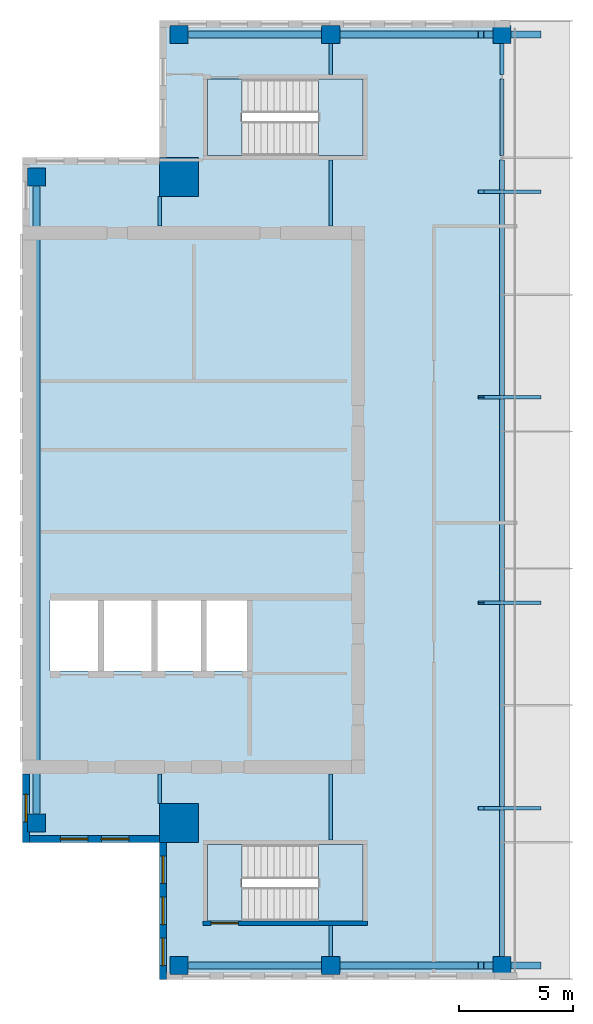
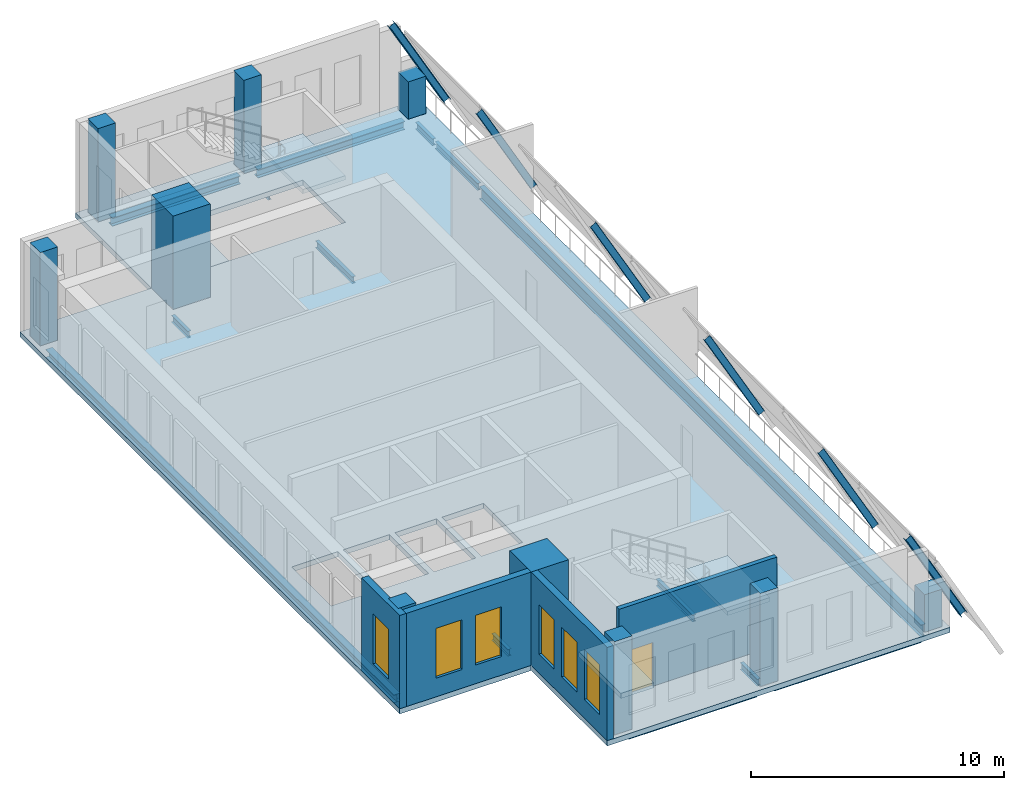
# One storey, part 1 of 5: 14 beams, 10 columns, 6 members, 6 windows, 5 slabs, 4 walls, 1 door, 7 openings, 2 elements without a shape of their own.
"""IFC4 building model written with IfcOpenShell, lengths in metres."""

from ifc_helpers import new_model, si_unit, direction, frame, frame_2d, origin, origin_2d, place, context, subcontext, project, spatial, polyline, rectangle, i_section, outline, extrude, source, transform, mapped, material, layer, layer_set, material_profile, profile_set, type_object, element, fill, aggregate, save


model = new_model("IFC4")

# Units and contexts
model_context = context("Model", 3, precision=1e-05, world=origin(), true_north=direction((0.0, 1.0)))
body_context = subcontext(model_context, "Body", "Model", "MODEL_VIEW")
ifc_project = project(units=[si_unit("LENGTHUNIT", "METRE"), si_unit("AREAUNIT", "SQUARE_METRE"), si_unit("VOLUMEUNIT", "CUBIC_METRE"), si_unit("PLANEANGLEUNIT", "RADIAN"), si_unit("MASSUNIT", "GRAM", prefix="KILO")], contexts=[model_context])

# Site, building, storey
site_placement = place(None, origin())
site = spatial("IfcSite", under=ifc_project, at=site_placement, CompositionType="ELEMENT")
building_placement = place(site_placement, origin())
building = spatial("IfcBuilding", under=site, at=building_placement, Name="Khomas Fold Tower", CompositionType="ELEMENT")
storey_placement = place(building_placement, frame((0.0, 0.0, 348.199951171875)))
storey = spatial("IfcBuildingStorey", under=building, at=storey_placement, Name="C5", CompositionType="ELEMENT", Elevation=348.199951171875)

# Columns
ifc_material_1 = material(Name="Concrete C60/75", Category="concrete")
ifc_material_profile_1 = material_profile(ifc_material_1, rectangle(XDim=1.699951171875, YDim=1.699951171875, at=origin_2d()), Name="RC 1700x1700")
ifc_profile_set_1 = profile_set([ifc_material_profile_1], Name="Concrete C60/75")
column_type_1 = type_object("IfcColumnType", Name="RC 1700x1700 column", PredefinedType="COLUMN", material=ifc_profile_set_1)
shared_shape_1 = source(origin(), body_context, "Body", "SweptSolid", [
    extrude(rectangle(XDim=1.699951171875, YDim=1.699951171875, at=origin_2d()), origin(), (0.0, 0.0, 1.0), 4.5),
])
for number, where, z_axis, x_axis, name in (
    (1, (12.85009765625, 41.14990234375, 0.0), (0.0, 0.0, 1.0), (1.0, 0.0, 0.0), "CM-NW"),
    (2, (12.85009765625, 12.85009765625, 0.0), (0.0, 0.0, 1.0), (1.0, 0.0, 0.0), "CM-SW"),
):
    element("IfcColumn", number, at=place(storey_placement, frame(where, z_axis=z_axis, x_axis=x_axis)), inside=storey, type_object=column_type_1, Name=name, PredefinedType="COLUMN", context=body_context, shape_type="MappedRepresentation", body=[
        mapped(shared_shape_1, transform((0.0, 0.0, 0.0))),
    ])
ifc_material_2 = material(Name="Concrete C50/60", Category="concrete")
ifc_material_profile_2 = material_profile(ifc_material_2, rectangle(XDim=0.800048828125, YDim=0.800048828125, at=origin_2d()), Name="RC 800x800")
ifc_profile_set_2 = profile_set([ifc_material_profile_2], Name="Concrete C50/60")
column_type_2 = type_object("IfcColumnType", Name="RC 800x800 column", PredefinedType="COLUMN", material=ifc_profile_set_2)
shared_shape_2 = source(origin(), body_context, "Body", "SweptSolid", [
    extrude(rectangle(XDim=0.800048828125, YDim=0.800048828125, at=origin_2d()), origin(), (0.0, 0.0, 1.0), 4.5),
])
for number, where, z_axis, x_axis, name in (
    (3, (12.85009765625, 6.60009765625, 0.0), (0.0, 0.0, 1.0), (1.0, 0.0, 0.0), "C-7-SF5"),
    (4, (19.5, 6.60009765625, 0.0), (0.0, 0.0, 1.0), (1.0, 0.0, 0.0), "C-8-SF5"),
    (5, (12.85009765625, 47.39990234375, 0.0), (0.0, 0.0, 1.0), (1.0, 0.0, 0.0), "C-7-NF5"),
    (6, (19.5, 47.39990234375, 0.0), (0.0, 0.0, 1.0), (1.0, 0.0, 0.0), "C-8-NF5"),
    (7, (6.60009765625, 12.85009765625, 0.0), (0.0, 0.0, 1.0), (1.0, 0.0, 0.0), "C-W5-G"),
    (8, (6.60009765625, 41.14990234375, 0.0), (0.0, 0.0, 1.0), (1.0, 0.0, 0.0), "C-W5-Q"),
):
    element("IfcColumn", number, at=place(storey_placement, frame(where, z_axis=z_axis, x_axis=x_axis)), inside=storey, type_object=column_type_2, Name=name, PredefinedType="COLUMN", context=body_context, shape_type="MappedRepresentation", body=[
        mapped(shared_shape_2, transform((0.0, 0.0, 0.0))),
    ])
shared_shape_3 = source(origin(), body_context, "Body", "SweptSolid", [
    extrude(rectangle(XDim=0.800048828125, YDim=0.800048828125, at=origin_2d()), origin(), (0.0, 0.0, 1.0), 1.8017578125),
])
for number, where, z_axis, x_axis, name in (
    (9, (27.0, 6.60009765625, 0.0), (0.0, 0.0, 1.0), (1.0, 0.0, 0.0), "C-9-SF5"),
    (10, (27.0, 47.39990234375, 0.0), (0.0, 0.0, 1.0), (1.0, 0.0, 0.0), "C-9-NF5"),
):
    element("IfcColumn", number, at=place(storey_placement, frame(where, z_axis=z_axis, x_axis=x_axis)), inside=storey, type_object=column_type_2, Name=name, PredefinedType="COLUMN", context=body_context, shape_type="MappedRepresentation", body=[
        mapped(shared_shape_3, transform((0.0, 0.0, 0.0))),
    ])

# Beams
ifc_material_3 = material(Name="Steel S355", Category="steel")
ifc_material_profile_3 = material_profile(ifc_material_3, i_section(OverallWidth=0.159912109375, OverallDepth=0.330078125, WebThickness=0.007568359375, FlangeThickness=0.011474609375, at=origin_2d()), Name="IPE 330")
ifc_profile_set_3 = profile_set([ifc_material_profile_3], Name="Steel S355")
beam_type_1 = type_object("IfcBeamType", Name="IPE 330 beam JB1", PredefinedType="BEAM", material=ifc_profile_set_3)
shared_shape_4 = source(origin(), body_context, "Body", "SweptSolid", [
    extrude(i_section(OverallWidth=0.159912109375, OverallDepth=0.330078125, WebThickness=0.007568359375, FlangeThickness=0.011474609375, at=origin_2d()), origin(), (0.0, 0.0, 1.0), 2.89990234375),
])
for number, where, z_axis, x_axis, name in (
    (11, (19.5, 12.10009765625, -0.4150390625), (0.0, 1.0, 0.0), (-1.0, 0.0, 0.0), "JB1"),
    (12, (19.5, 39.0, -0.4150390625), (0.0, 1.0, 0.0), (-1.0, 0.0, 0.0), "JB1"),
):
    element("IfcBeam", number, at=place(storey_placement, frame(where, z_axis=z_axis, x_axis=x_axis)), inside=storey, type_object=beam_type_1, Name=name, PredefinedType="BEAM", context=body_context, shape_type="MappedRepresentation", body=[
        mapped(shared_shape_4, transform((0.0, 0.0, 0.0))),
    ])
shared_shape_5 = source(origin(), body_context, "Body", "SweptSolid", [
    extrude(i_section(OverallWidth=0.159912109375, OverallDepth=0.330078125, WebThickness=0.007568359375, FlangeThickness=0.011474609375, at=origin_2d()), origin(), (0.0, 0.0, 1.0), 1.35009765625),
])
for number, where, z_axis, x_axis, name in (
    (13, (19.5, 7.0, -0.4150390625), (0.0, 1.0, 0.0), (-1.0, 0.0, 0.0), "JB1"),
    (14, (19.5, 45.64990234375, -0.4150390625), (0.0, 1.0, 0.0), (-1.0, 0.0, 0.0), "JB1"),
    (15, (27.0, 45.64990234375, -0.4150390625), (0.0, 1.0, 0.0), (-1.0, 0.0, 0.0), "JB1"),
):
    element("IfcBeam", number, at=place(storey_placement, frame(where, z_axis=z_axis, x_axis=x_axis)), inside=storey, type_object=beam_type_1, Name=name, PredefinedType="BEAM", context=body_context, shape_type="MappedRepresentation", body=[
        mapped(shared_shape_5, transform((0.0, 0.0, 0.0))),
    ])
ifc_material_4 = material(Name="Steel S355", Category="steel")
ifc_material_profile_4 = material_profile(ifc_material_4, i_section(OverallWidth=0.300048828125, OverallDepth=0.39990234375, WebThickness=0.013427734375, FlangeThickness=0.02392578125, at=origin_2d()), Name="HE 400 B")
ifc_profile_set_4 = profile_set([ifc_material_profile_4], Name="Steel S355")
beam_type_2 = type_object("IfcBeamType", Name="HE 400 B spandrel SB5", PredefinedType="SPANDREL", material=ifc_profile_set_4)
shared_shape_6 = source(origin(), body_context, "Body", "SweptSolid", [
    extrude(i_section(OverallWidth=0.300048828125, OverallDepth=0.39990234375, WebThickness=0.013427734375, FlangeThickness=0.02392578125, at=origin_2d()), origin(), (0.0, 0.0, 1.0), 5.85009765625),
])
for number, where, z_axis, x_axis, name in (
    (16, (13.25, 6.60009765625, -0.449951171875), (1.0, 0.0, 0.0), (0.0, 1.0, 0.0), "SB5"),
    (17, (13.25, 47.39990234375, -0.449951171875), (1.0, 0.0, 0.0), (0.0, 1.0, 0.0), "SB5"),
):
    element("IfcBeam", number, at=place(storey_placement, frame(where, z_axis=z_axis, x_axis=x_axis)), inside=storey, type_object=beam_type_2, Name=name, PredefinedType="SPANDREL", context=body_context, shape_type="MappedRepresentation", body=[
        mapped(shared_shape_6, transform((0.0, 0.0, 0.0))),
    ])
shared_shape_7 = source(origin(), body_context, "Body", "SweptSolid", [
    extrude(i_section(OverallWidth=0.300048828125, OverallDepth=0.39990234375, WebThickness=0.013427734375, FlangeThickness=0.02392578125, at=origin_2d()), origin(), (0.0, 0.0, 1.0), 6.7001953125),
])
for number, where, z_axis, x_axis, name in (
    (18, (19.89990234375, 6.60009765625, -0.449951171875), (1.0, 0.0, 0.0), (0.0, 1.0, 0.0), "SB5"),
    (19, (19.89990234375, 47.39990234375, -0.449951171875), (1.0, 0.0, 0.0), (0.0, 1.0, 0.0), "SB5"),
):
    element("IfcBeam", number, at=place(storey_placement, frame(where, z_axis=z_axis, x_axis=x_axis)), inside=storey, type_object=beam_type_2, Name=name, PredefinedType="SPANDREL", context=body_context, shape_type="MappedRepresentation", body=[
        mapped(shared_shape_7, transform((0.0, 0.0, 0.0))),
    ])
shared_shape_8 = source(origin(), body_context, "Body", "SweptSolid", [
    extrude(i_section(OverallWidth=0.300048828125, OverallDepth=0.39990234375, WebThickness=0.013427734375, FlangeThickness=0.02392578125, at=origin_2d()), origin(), (0.0, 0.0, 1.0), 27.5),
])
beam_1_placement = place(storey_placement, frame((6.60009765625, 13.25, -0.449951171875), z_axis=(0.0, 1.0, 0.0), x_axis=(-1.0, 0.0, 0.0)))
element("IfcBeam", 20, at=beam_1_placement, inside=storey, type_object=beam_type_2, Name="SB5", PredefinedType="SPANDREL", context=body_context, shape_type="MappedRepresentation", body=[
    mapped(shared_shape_8, transform((0.0, 0.0, 0.0))),
])
shared_shape_9 = source(origin(), body_context, "Body", "SweptSolid", [
    extrude(i_section(OverallWidth=0.159912109375, OverallDepth=0.330078125, WebThickness=0.007568359375, FlangeThickness=0.011474609375, at=origin_2d()), origin(), (0.0, 0.0, 1.0), 1.300048828125),
])
for number, where, z_axis, x_axis, name in (
    (21, (12.0, 13.699951171875, -0.4150390625), (0.0, 1.0, 0.0), (-1.0, 0.0, 0.0), "JB1"),
    (22, (12.0, 39.0, -0.4150390625), (0.0, 1.0, 0.0), (-1.0, 0.0, 0.0), "JB1"),
):
    element("IfcBeam", number, at=place(storey_placement, frame(where, z_axis=z_axis, x_axis=x_axis)), inside=storey, type_object=beam_type_1, Name=name, PredefinedType="BEAM", context=body_context, shape_type="MappedRepresentation", body=[
        mapped(shared_shape_9, transform((0.0, 0.0, 0.0))),
    ])
ifc_material_5 = material(Name="Steel S355", Category="steel")
ifc_material_profile_5 = material_profile(ifc_material_5, i_section(OverallWidth=0.219970703125, OverallDepth=0.60009765625, WebThickness=0.011962890625, FlangeThickness=0.01904296875, at=origin_2d()), Name="IPE 600")
ifc_profile_set_5 = profile_set([ifc_material_profile_5], Name="Steel S355")
beam_type_3 = type_object("IfcBeamType", Name="IPE 600 beam JB7", PredefinedType="BEAM", material=ifc_profile_set_5)
shared_shape_10 = source(origin(), body_context, "Body", "SweptSolid", [
    extrude(i_section(OverallWidth=0.219970703125, OverallDepth=0.60009765625, WebThickness=0.011962890625, FlangeThickness=0.01904296875, at=origin_2d()), origin(), (0.0, 0.0, 1.0), 34.89990234375),
])
beam_2_placement = place(storey_placement, frame((27.0, 7.0, -0.550048828125), z_axis=(0.0, 1.0, 0.0), x_axis=(-1.0, 0.0, 0.0)))
element("IfcBeam", 23, at=beam_2_placement, inside=storey, type_object=beam_type_3, Name="JB7", PredefinedType="BEAM", context=body_context, shape_type="MappedRepresentation", body=[
    mapped(shared_shape_10, transform((0.0, 0.0, 0.0))),
])
shared_shape_11 = source(origin(), body_context, "Body", "SweptSolid", [
    extrude(i_section(OverallWidth=0.159912109375, OverallDepth=0.330078125, WebThickness=0.007568359375, FlangeThickness=0.011474609375, at=origin_2d()), origin(), (0.0, 0.0, 1.0), 3.349853515625),
])
beam_3_placement = place(storey_placement, frame((27.0, 42.10009765625, -0.4150390625), z_axis=(0.0, 1.0, 0.0), x_axis=(-1.0, 0.0, 0.0)))
element("IfcBeam", 24, at=beam_3_placement, inside=storey, type_object=beam_type_1, Name="JB1", PredefinedType="BEAM", context=body_context, shape_type="MappedRepresentation", body=[
    mapped(shared_shape_11, transform((0.0, 0.0, 0.0))),
])

# Members
ifc_material_6 = material(Name="Steel S355", Category="steel")
ifc_material_profile_6 = material_profile(ifc_material_6, i_section(OverallWidth=0.300048828125, OverallDepth=0.300048828125, WebThickness=0.010986328125, FlangeThickness=0.01904296875, at=origin_2d()), Name="HE 300 B")
ifc_profile_set_6 = profile_set([ifc_material_profile_6], Name="Steel S355")
member_type_1 = type_object("IfcMemberType", Name="ROOF RAFTER W C5 HE 300 B", PredefinedType="RAFTER", material=ifc_profile_set_6)
shared_shape_12 = source(origin(), body_context, "Body", "SweptSolid", [
    extrude(i_section(OverallWidth=0.300048828125, OverallDepth=0.300048828125, WebThickness=0.010986328125, FlangeThickness=0.01904296875, at=origin_2d()), origin(), (0.0, 0.0, 1.0), 5.14208984375),
])
for number, where, z_axis, x_axis, name in (
    (25, (28.567626953125, 6.60009765625, 0.0), (-0.483900493293, 0.0, 0.875123027117), (0.0, -1.0, 0.0), "CF-R1-W-C5"),
    (26, (28.567626953125, 47.39990234375, 0.0), (-0.483900493293, 0.0, 0.875123027117), (0.0, -1.0, 0.0), "CF-R1-W-C5"),
):
    element("IfcMember", number, at=place(storey_placement, frame(where, z_axis=z_axis, x_axis=x_axis)), inside=storey, type_object=member_type_1, Name=name, PredefinedType="RAFTER", context=body_context, shape_type="MappedRepresentation", body=[
        mapped(shared_shape_12, transform((0.0, 0.0, 0.0))),
    ])
ifc_material_7 = material(Name="Steel S355", Category="steel")
ifc_material_profile_7 = material_profile(ifc_material_7, i_section(OverallWidth=0.14990234375, OverallDepth=0.300048828125, WebThickness=0.007080078125, FlangeThickness=0.0107421875, at=origin_2d()), Name="IPE 300")
ifc_profile_set_7 = profile_set([ifc_material_profile_7], Name="Steel S355")
member_type_2 = type_object("IfcMemberType", Name="ROOF RAFTER W C5 IPE 300", PredefinedType="RAFTER", material=ifc_profile_set_7)
shared_shape_13 = source(origin(), body_context, "Body", "SweptSolid", [
    extrude(i_section(OverallWidth=0.14990234375, OverallDepth=0.300048828125, WebThickness=0.007080078125, FlangeThickness=0.0107421875, at=origin_2d()), origin(), (0.0, 0.0, 1.0), 5.14208984375),
])
for number, where, z_axis, x_axis, name in (
    (27, (28.567626953125, 13.5, 0.0), (-0.483900493293, 0.0, 0.875123027117), (0.0, -1.0, 0.0), "CF-R2-W-C5"),
    (28, (28.567626953125, 22.5, 0.0), (-0.483900493293, 0.0, 0.875123027117), (0.0, -1.0, 0.0), "CF-R2-W-C5"),
    (29, (28.567626953125, 31.5, 0.0), (-0.483900493293, 0.0, 0.875123027117), (0.0, -1.0, 0.0), "CF-R2-W-C5"),
    (30, (28.567626953125, 40.5, 0.0), (-0.483900493293, 0.0, 0.875123027117), (0.0, -1.0, 0.0), "CF-R2-W-C5"),
):
    element("IfcMember", number, at=place(storey_placement, frame(where, z_axis=z_axis, x_axis=x_axis)), inside=storey, type_object=member_type_2, Name=name, PredefinedType="RAFTER", context=body_context, shape_type="MappedRepresentation", body=[
        mapped(shared_shape_13, transform((0.0, 0.0, 0.0))),
    ])

# Slab
ifc_material_8 = material(Name="Concrete C40/50", Category="concrete")
ifc_layer_1 = layer(ifc_material_8, 0.25)
ifc_layer_set_1 = layer_set([ifc_layer_1], Name="Concrete C40/50")
slab_type_1 = type_object("IfcSlabType", Name="RC floor slab 250", PredefinedType="FLOOR", material=ifc_layer_set_1)
shared_shape_14 = source(origin(), body_context, "Body", "SweptSolid", [
    extrude(outline(polyline([(6.0, 12.0), (11.9951171875, 12.0), (11.9951171875, 13.705078125), (13.705078125, 13.705078125), (13.705078125, 11.9951171875), (12.0, 11.9951171875), (12.0, 6.0), (27.64990234375, 6.0), (27.64990234375, 48.0), (12.0, 48.0), (12.0, 42.0048828125), (13.705078125, 42.0048828125), (13.705078125, 40.294921875), (11.9951171875, 40.294921875), (11.9951171875, 42.0), (6.0, 42.0), (6.0, 12.0)]), holes=[polyline([(6.195068359375, 12.445068359375), (6.195068359375, 13.2548828125), (7.0048828125, 13.2548828125), (7.0048828125, 12.445068359375), (6.195068359375, 12.445068359375)]), polyline([(6.195068359375, 40.7451171875), (6.195068359375, 41.554931640625), (7.0048828125, 41.554931640625), (7.0048828125, 40.7451171875), (6.195068359375, 40.7451171875)]), polyline([(7.199951171875, 19.5), (7.199951171875, 22.60009765625), (9.300048828125, 22.60009765625), (9.300048828125, 19.5), (7.199951171875, 19.5)]), polyline([(9.550048828125, 19.5), (9.550048828125, 22.60009765625), (11.64990234375, 22.60009765625), (11.64990234375, 19.5), (9.550048828125, 19.5)]), polyline([(11.89990234375, 19.5), (11.89990234375, 22.60009765625), (13.800048828125, 22.60009765625), (13.800048828125, 19.5), (11.89990234375, 19.5)]), polyline([(12.445068359375, 6.195068359375), (12.445068359375, 7.0048828125), (13.2548828125, 7.0048828125), (13.2548828125, 6.195068359375), (12.445068359375, 6.195068359375)]), polyline([(12.445068359375, 46.9951171875), (12.445068359375, 47.804931640625), (13.2548828125, 47.804931640625), (13.2548828125, 46.9951171875), (12.445068359375, 46.9951171875)]), polyline([(14.050048828125, 19.5), (14.050048828125, 22.60009765625), (15.949951171875, 22.60009765625), (15.949951171875, 19.5), (14.050048828125, 19.5)]), polyline([(14.10009765625, 8.550048828125), (14.10009765625, 11.89990234375), (20.89990234375, 11.89990234375), (20.89990234375, 8.550048828125), (14.10009765625, 8.550048828125)]), polyline([(14.10009765625, 42.10009765625), (14.10009765625, 45.449951171875), (20.89990234375, 45.449951171875), (20.89990234375, 42.10009765625), (14.10009765625, 42.10009765625)]), polyline([(19.094970703125, 6.195068359375), (19.094970703125, 7.0048828125), (19.905029296875, 7.0048828125), (19.905029296875, 6.195068359375), (19.094970703125, 6.195068359375)]), polyline([(19.094970703125, 46.9951171875), (19.094970703125, 47.804931640625), (19.905029296875, 47.804931640625), (19.905029296875, 46.9951171875), (19.094970703125, 46.9951171875)]), polyline([(26.594970703125, 6.195068359375), (26.594970703125, 7.0048828125), (27.405029296875, 7.0048828125), (27.405029296875, 6.195068359375), (26.594970703125, 6.195068359375)]), polyline([(26.594970703125, 46.9951171875), (26.594970703125, 47.804931640625), (27.405029296875, 47.804931640625), (27.405029296875, 46.9951171875), (26.594970703125, 46.9951171875)])]), origin(), (0.0, 0.0, 1.0), 0.25),
])
slab_1_placement = place(storey_placement, frame((0.0, 0.0, -0.25)))
element("IfcSlab", 31, at=slab_1_placement, inside=storey, type_object=slab_type_1, Name="S-C5", PredefinedType="FLOOR", context=body_context, shape_type="MappedRepresentation", body=[
    mapped(shared_shape_14, transform((0.0, 0.0, 0.0))),
])

# Stair, slab
ifc_material_9 = material(Name="Concrete C40/50", Category="concrete")
stair_type_1 = type_object("IfcStairType", Name="Stair ST1", PredefinedType="HALF_TURN_STAIR", material=ifc_material_9)
stair_1_placement = place(storey_placement, origin())
stair_1 = element("IfcStair", 32, at=stair_1_placement, inside=storey, type_object=stair_type_1, Name="C5 ST1", PredefinedType="HALF_TURN_STAIR")
ifc_material_10 = material(Name="Concrete C40/50", Category="concrete")
ifc_layer_2 = layer(ifc_material_10, 0.199951171875)
ifc_layer_set_2 = layer_set([ifc_layer_2], Name="Concrete C40/50")
slab_type_2 = type_object("IfcSlabType", Name="Stair landing 200", PredefinedType="LANDING", material=ifc_layer_set_2)
shared_shape_15 = source(origin(), body_context, "Body", "SweptSolid", [
    extrude(outline(polyline([(18.9599609375, 42.10009765625), (20.89990234375, 42.10009765625), (20.89990234375, 45.449951171875), (18.9599609375, 45.449951171875), (18.9599609375, 42.10009765625)])), origin(), (0.0, 0.0, 1.0), 0.199951171875),
])
slab_2_placement = place(storey_placement, frame((0.0, 0.0, 2.050048828125)))
slab_2 = element("IfcSlab", 33, at=slab_2_placement, type_object=slab_type_2, Name="ST1 landing 1", PredefinedType="LANDING", context=body_context, shape_type="MappedRepresentation", body=[
    mapped(shared_shape_15, transform((0.0, 0.0, 0.0))),
])
aggregate(stair_1, [slab_2])

# Slab
ifc_material_11 = material(Name="Concrete C40/50", Category="concrete")
ifc_layer_3 = layer(ifc_material_11, 0.25)
ifc_layer_set_3 = layer_set([ifc_layer_3], Name="Concrete C40/50")
slab_type_3 = type_object("IfcSlabType", Name="Stair floor landing 250", PredefinedType="LANDING", material=ifc_layer_set_3)
shared_shape_16 = source(origin(), body_context, "Body", "SweptSolid", [
    extrude(outline(polyline([(14.10009765625, 45.449951171875), (15.60009765625, 45.449951171875), (15.60009765625, 42.10009765625), (14.10009765625, 42.10009765625), (14.10009765625, 45.449951171875)])), origin(), (0.0, 0.0, 1.0), 0.25),
])
slab_3_placement = place(storey_placement, frame((0.0, 0.0, -0.25)))
element("IfcSlab", 34, at=slab_3_placement, inside=storey, type_object=slab_type_3, Name="ST1 floor landing", PredefinedType="LANDING", context=body_context, shape_type="MappedRepresentation", body=[
    mapped(shared_shape_16, transform((0.0, 0.0, 0.0))),
])

# Stair, slab
ifc_material_12 = material(Name="Concrete C40/50", Category="concrete")
stair_type_2 = type_object("IfcStairType", Name="Stair ST2", PredefinedType="HALF_TURN_STAIR", material=ifc_material_12)
stair_2_placement = place(storey_placement, origin())
stair_2 = element("IfcStair", 35, at=stair_2_placement, inside=storey, type_object=stair_type_2, Name="C5 ST2", PredefinedType="HALF_TURN_STAIR")
shared_shape_17 = source(origin(), body_context, "Body", "SweptSolid", [
    extrude(outline(polyline([(18.9599609375, 8.550048828125), (20.89990234375, 8.550048828125), (20.89990234375, 11.89990234375), (18.9599609375, 11.89990234375), (18.9599609375, 8.550048828125)])), origin(), (0.0, 0.0, 1.0), 0.199951171875),
])
slab_4_placement = place(storey_placement, frame((0.0, 0.0, 2.050048828125)))
slab_4 = element("IfcSlab", 36, at=slab_4_placement, type_object=slab_type_2, Name="ST2 landing 1", PredefinedType="LANDING", context=body_context, shape_type="MappedRepresentation", body=[
    mapped(shared_shape_17, transform((0.0, 0.0, 0.0))),
])
aggregate(stair_2, [slab_4])

# Slab
shared_shape_18 = source(origin(), body_context, "Body", "SweptSolid", [
    extrude(outline(polyline([(14.10009765625, 11.89990234375), (15.60009765625, 11.89990234375), (15.60009765625, 8.550048828125), (14.10009765625, 8.550048828125), (14.10009765625, 11.89990234375)])), origin(), (0.0, 0.0, 1.0), 0.25),
])
slab_5_placement = place(storey_placement, frame((0.0, 0.0, -0.25)))
element("IfcSlab", 37, at=slab_5_placement, inside=storey, type_object=slab_type_3, Name="ST2 floor landing", PredefinedType="LANDING", context=body_context, shape_type="MappedRepresentation", body=[
    mapped(shared_shape_18, transform((0.0, 0.0, 0.0))),
])

# Wall, opening, door
ifc_material_13 = material(Name="Concrete C50/60", Category="concrete")
ifc_layer_4 = layer(ifc_material_13, 0.199951171875)
ifc_layer_set_4 = layer_set([ifc_layer_4], Name="Concrete C50/60")
wall_type_1 = type_object("IfcWallType", Name="Stair wall 200", PredefinedType="SHEAR", material=ifc_layer_set_4)
shared_shape_19 = source(origin(), body_context, "Body", "SweptSolid", [
    extrude(rectangle(XDim=7.2001953125, YDim=0.199951171875, at=frame_2d((3.60009765625, 0.0))), origin(), (0.0, 0.0, 1.0), 4.25),
])
wall_1_placement = place(storey_placement, frame((13.89990234375, 8.449951171875, 0.0), z_axis=(0.0, 0.0, 1.0), x_axis=(1.0, 0.0, 0.0)))
wall_1 = element("IfcWall", 38, at=wall_1_placement, inside=storey, type_object=wall_type_1, Name="Stair wall SW-ST2-S", PredefinedType="SHEAR", context=body_context, shape_type="MappedRepresentation", body=[
    mapped(shared_shape_19, transform((0.0, 0.0, 0.0))),
])
shared_shape_20 = source(origin(), body_context, "Body", "SweptSolid", [
    extrude(rectangle(XDim=1.199951171875, YDim=2.10009765625, at=frame_2d((0.60009765625, 1.050048828125))), frame((0.0, 0.10986328125, 0.0), z_axis=(0.0, -1.0, 0.0), x_axis=(1.0, 0.0, 0.0)), (0.0, 0.0, 1.0), 0.219970703125),
])
opening_1_placement = place(wall_1_placement, frame((0.35009765625, 0.0, 0.0)))
opening_1 = element("IfcOpeningElement", 39, at=opening_1_placement, cuts=wall_1, Name="Opening SD-ST2", PredefinedType="OPENING", context=body_context, shape_type="MappedRepresentation", body=[
    mapped(shared_shape_20, transform((0.0, 0.0, 0.0))),
])
ifc_material_14 = material(Name="Steel door leaf", Category="steel")
door_type = type_object("IfcDoorType", Name="Stair door 1200x2100 right-hand", OperationType="SINGLE_SWING_RIGHT", PredefinedType="DOOR", material=ifc_material_14)
shared_shape_21 = source(origin(), body_context, "Body", "SweptSolid", [
    extrude(rectangle(XDim=1.199951171875, YDim=2.10009765625, at=frame_2d((0.60009765625, 1.050048828125))), frame((0.0, 0.02490234375, 0.0), z_axis=(0.0, -1.0, 0.0), x_axis=(1.0, 0.0, 0.0)), (0.0, 0.0, 1.0), 0.050048828125),
])
door_placement = place(opening_1_placement, origin())
door = element("IfcDoor", 40, at=door_placement, inside=storey, type_object=door_type, Name="Stair door", OperationType="SINGLE_SWING_RIGHT", OverallHeight=2.10009765625, OverallWidth=1.199951171875, PredefinedType="DOOR", context=body_context, shape_type="MappedRepresentation", body=[
    mapped(shared_shape_21, transform((0.0, 0.0, 0.0))),
])
fill(opening_1, door)

# Wall, openings, windows
ifc_material_15 = material(Name="Concrete C40/50", Category="concrete")
ifc_layer_5 = layer(ifc_material_15, 0.300048828125)
ifc_layer_set_5 = layer_set([ifc_layer_5], Name="Concrete C40/50")
wall_type_2 = type_object("IfcWallType", Name="Crown gable wall 300 CR-GW1", PredefinedType="SOLIDWALL", material=ifc_layer_set_5)
shared_shape_22 = source(origin(), body_context, "Body", "SweptSolid", [
    extrude(rectangle(XDim=5.699951171875, YDim=0.300048828125, at=frame_2d((2.85009765625, 0.0))), origin(), (0.0, 0.0, 1.0), 4.5),
])
wall_2_placement = place(storey_placement, frame((6.300048828125, 12.14990234375, 0.0), z_axis=(0.0, 0.0, 1.0), x_axis=(1.0, 0.0, 0.0)))
wall_2 = element("IfcWall", 41, at=wall_2_placement, inside=storey, type_object=wall_type_2, Name="Crown wall", PredefinedType="SOLIDWALL", context=body_context, shape_type="MappedRepresentation", body=[
    mapped(shared_shape_22, transform((0.0, 0.0, 0.0))),
])
shared_shape_23 = source(origin(), body_context, "Body", "SweptSolid", [
    extrude(rectangle(XDim=1.199951171875, YDim=2.39990234375, at=frame_2d((0.60009765625, 1.199951171875))), frame((0.0, 0.159912109375, 0.0), z_axis=(0.0, -1.0, 0.0), x_axis=(1.0, 0.0, 0.0)), (0.0, 0.0, 1.0), 0.320068359375),
])
opening_2_placement = place(wall_2_placement, frame((1.35009765625, 0.0, 0.89990234375)))
opening_2 = element("IfcOpeningElement", 42, at=opening_2_placement, cuts=wall_2, Name="Opening CR-LV", PredefinedType="OPENING", context=body_context, shape_type="MappedRepresentation", body=[
    mapped(shared_shape_23, transform((0.0, 0.0, 0.0))),
])
opening_3_placement = place(wall_2_placement, frame((3.14990234375, 0.0, 0.89990234375)))
opening_3 = element("IfcOpeningElement", 43, at=opening_3_placement, cuts=wall_2, Name="Opening CR-LV", PredefinedType="OPENING", context=body_context, shape_type="MappedRepresentation", body=[
    mapped(shared_shape_23, transform((0.0, 0.0, 0.0))),
])
ifc_material_16 = material(Name="Aluminium louvre", Category="aluminium")
window_type = type_object("IfcWindowType", Name="Crown plant louvre 1200 x 2400", PartitioningType="SINGLE_PANEL", PredefinedType="WINDOW", material=ifc_material_16)
shared_shape_24 = source(origin(), body_context, "Body", "SweptSolid", [
    extrude(rectangle(XDim=1.199951171875, YDim=2.39990234375, at=frame_2d((0.60009765625, 1.199951171875))), frame((0.0, 0.030029296875, 0.0), z_axis=(0.0, -1.0, 0.0), x_axis=(1.0, 0.0, 0.0)), (0.0, 0.0, 1.0), 0.06005859375),
])
window_1_placement = place(opening_2_placement, origin())
window_1 = element("IfcWindow", 44, at=window_1_placement, inside=storey, type_object=window_type, Name="Crown plant louvre", OverallHeight=2.39990234375, OverallWidth=1.199951171875, PartitioningType="SINGLE_PANEL", PredefinedType="WINDOW", context=body_context, shape_type="MappedRepresentation", body=[
    mapped(shared_shape_24, transform((0.0, 0.0, 0.0))),
])
fill(opening_2, window_1)
window_2_placement = place(opening_3_placement, origin())
window_2 = element("IfcWindow", 45, at=window_2_placement, inside=storey, type_object=window_type, Name="Crown plant louvre", OverallHeight=2.39990234375, OverallWidth=1.199951171875, PartitioningType="SINGLE_PANEL", PredefinedType="WINDOW", context=body_context, shape_type="MappedRepresentation", body=[
    mapped(shared_shape_24, transform((0.0, 0.0, 0.0))),
])
fill(opening_3, window_2)

shared_shape_25 = source(origin(), body_context, "Body", "SweptSolid", [
    extrude(rectangle(XDim=6.0, YDim=0.300048828125, at=frame_2d((3.0, 0.0))), origin(), (0.0, 0.0, 1.0), 4.5),
])
wall_3_placement = place(storey_placement, frame((12.14990234375, 12.0, 0.0), z_axis=(0.0, 0.0, 1.0), x_axis=(0.0, -1.0, 0.0)))
wall_3 = element("IfcWall", 46, at=wall_3_placement, inside=storey, type_object=wall_type_2, Name="Crown wall", PredefinedType="SOLIDWALL", context=body_context, shape_type="MappedRepresentation", body=[
    mapped(shared_shape_25, transform((0.0, 0.0, 0.0))),
])
opening_4_placement = place(wall_3_placement, frame((0.60009765625, 0.0, 0.89990234375)))
opening_4 = element("IfcOpeningElement", 47, at=opening_4_placement, cuts=wall_3, Name="Opening CR-LV", PredefinedType="OPENING", context=body_context, shape_type="MappedRepresentation", body=[
    mapped(shared_shape_23, transform((0.0, 0.0, 0.0))),
])
opening_5_placement = place(wall_3_placement, frame((2.39990234375, 0.0, 0.89990234375)))
opening_5 = element("IfcOpeningElement", 48, at=opening_5_placement, cuts=wall_3, Name="Opening CR-LV", PredefinedType="OPENING", context=body_context, shape_type="MappedRepresentation", body=[
    mapped(shared_shape_23, transform((0.0, 0.0, 0.0))),
])
opening_6_placement = place(wall_3_placement, frame((4.199951171875, 0.0, 0.89990234375)))
opening_6 = element("IfcOpeningElement", 49, at=opening_6_placement, cuts=wall_3, Name="Opening CR-LV", PredefinedType="OPENING", context=body_context, shape_type="MappedRepresentation", body=[
    mapped(shared_shape_23, transform((0.0, 0.0, 0.0))),
])
window_3_placement = place(opening_4_placement, origin())
window_3 = element("IfcWindow", 50, at=window_3_placement, inside=storey, type_object=window_type, Name="Crown plant louvre", OverallHeight=2.39990234375, OverallWidth=1.199951171875, PartitioningType="SINGLE_PANEL", PredefinedType="WINDOW", context=body_context, shape_type="MappedRepresentation", body=[
    mapped(shared_shape_24, transform((0.0, 0.0, 0.0))),
])
fill(opening_4, window_3)
window_4_placement = place(opening_5_placement, origin())
window_4 = element("IfcWindow", 51, at=window_4_placement, inside=storey, type_object=window_type, Name="Crown plant louvre", OverallHeight=2.39990234375, OverallWidth=1.199951171875, PartitioningType="SINGLE_PANEL", PredefinedType="WINDOW", context=body_context, shape_type="MappedRepresentation", body=[
    mapped(shared_shape_24, transform((0.0, 0.0, 0.0))),
])
fill(opening_5, window_4)
window_5_placement = place(opening_6_placement, origin())
window_5 = element("IfcWindow", 52, at=window_5_placement, inside=storey, type_object=window_type, Name="Crown plant louvre", OverallHeight=2.39990234375, OverallWidth=1.199951171875, PartitioningType="SINGLE_PANEL", PredefinedType="WINDOW", context=body_context, shape_type="MappedRepresentation", body=[
    mapped(shared_shape_24, transform((0.0, 0.0, 0.0))),
])
fill(opening_6, window_5)

# Wall, opening, window
shared_shape_26 = source(origin(), body_context, "Body", "SweptSolid", [
    extrude(rectangle(XDim=3.0, YDim=0.300048828125, at=frame_2d((1.5, 0.0))), origin(), (0.0, 0.0, 1.0), 4.5),
])
wall_4_placement = place(storey_placement, frame((6.14990234375, 15.0, 0.0), z_axis=(0.0, 0.0, 1.0), x_axis=(0.0, -1.0, 0.0)))
wall_4 = element("IfcWall", 53, at=wall_4_placement, inside=storey, type_object=wall_type_2, Name="Crown wall", PredefinedType="SOLIDWALL", context=body_context, shape_type="MappedRepresentation", body=[
    mapped(shared_shape_26, transform((0.0, 0.0, 0.0))),
])
opening_7_placement = place(wall_4_placement, frame((0.89990234375, 0.0, 0.89990234375)))
opening_7 = element("IfcOpeningElement", 54, at=opening_7_placement, cuts=wall_4, Name="Opening CR-LV", PredefinedType="OPENING", context=body_context, shape_type="MappedRepresentation", body=[
    mapped(shared_shape_23, transform((0.0, 0.0, 0.0))),
])
window_6_placement = place(opening_7_placement, origin())
window_6 = element("IfcWindow", 55, at=window_6_placement, inside=storey, type_object=window_type, Name="Crown plant louvre", OverallHeight=2.39990234375, OverallWidth=1.199951171875, PartitioningType="SINGLE_PANEL", PredefinedType="WINDOW", context=body_context, shape_type="MappedRepresentation", body=[
    mapped(shared_shape_24, transform((0.0, 0.0, 0.0))),
])
fill(opening_7, window_6)

save(model, "model.ifc")
